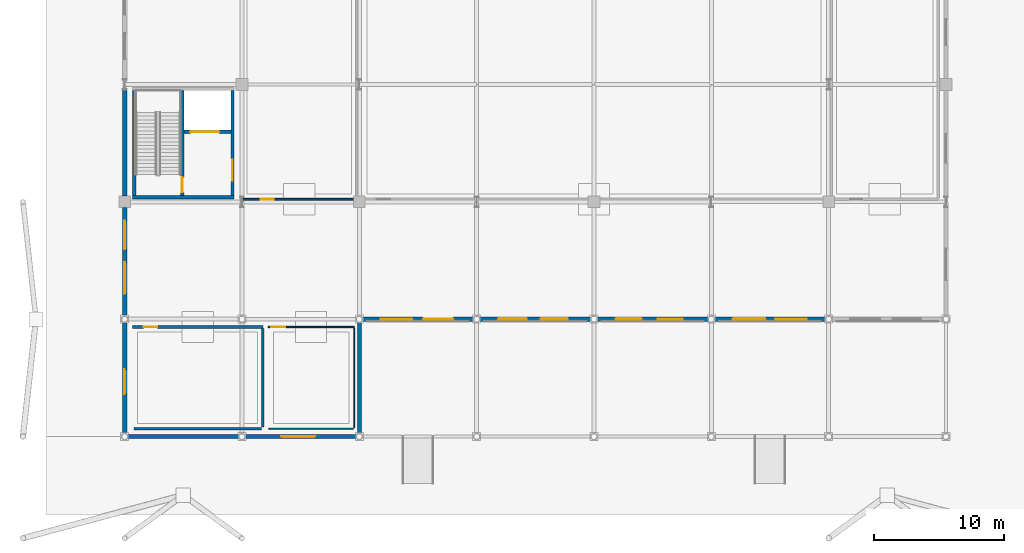
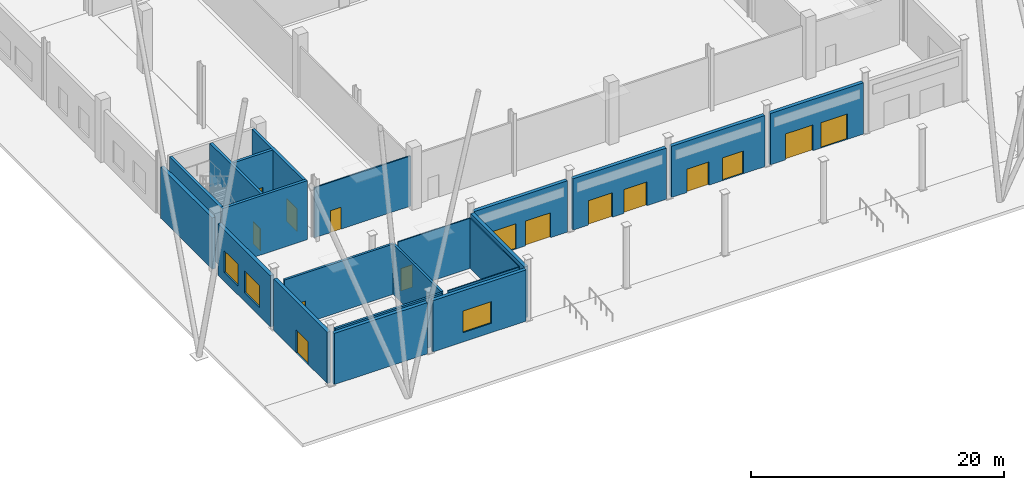
# One storey, part 29 of 58: 22 walls, 15 doors, 3 windows, 18 openings.
"""IFC4 building model written with IfcOpenShell, lengths in metres."""

from ifc_helpers import new_model, si_unit, direction, frame, frame_2d, origin, place, context, subcontext, project, spatial, rectangle, extrude, material, layer, layer_set, type_object, element, fill, save


model = new_model("IFC4")

# Units and contexts
model_context = context("Model", 3, precision=1e-05, world=origin(), true_north=direction((0.0, 1.0)))
body_context = subcontext(model_context, "Body", "Model", "MODEL_VIEW")
ifc_project = project(units=[si_unit("LENGTHUNIT", "METRE"), si_unit("AREAUNIT", "SQUARE_METRE"), si_unit("VOLUMEUNIT", "CUBIC_METRE"), si_unit("PLANEANGLEUNIT", "RADIAN"), si_unit("MASSUNIT", "GRAM", prefix="KILO")], contexts=[model_context])

# Site, building, storey
site_placement = place(None, origin())
site = spatial("IfcSite", under=ifc_project, at=site_placement, CompositionType="ELEMENT")
building_placement = place(site_placement, origin())
building = spatial("IfcBuilding", under=site, at=building_placement, Name="Barlavento Convention Centre", CompositionType="ELEMENT")
storey_placement = place(building_placement, origin())
storey = spatial("IfcBuildingStorey", under=building, at=storey_placement, Name="L00", CompositionType="ELEMENT", Elevation=0.0)

# Wall, openings, doors
ifc_material_1 = material(Name="Macau dark grey granite cladding on Concrete C40/50", Category="masonry")
ifc_layer_1 = layer(ifc_material_1, 0.320068359375)
ifc_layer_set_1 = layer_set([ifc_layer_1], Name="ARC-WL-EXT-320")
wall_type_1 = type_object("IfcWallType", Name="ARC-WL-EXT-320", PredefinedType="SOLIDWALL", material=ifc_layer_set_1)
wall_1_placement = place(storey_placement, frame((18.2490234375, 9.0, 0.0), z_axis=(0.0, 0.0, 1.0), x_axis=(1.0, 0.0, 0.0)))
wall_1 = element("IfcWall", 1, at=wall_1_placement, inside=storey, type_object=wall_type_1, Name="L00 exterior wall EW01", PredefinedType="SOLIDWALL", context=body_context, shape_type="SweptSolid", body=[
    extrude(rectangle(XDim=8.501953125, YDim=0.320068359375, at=frame_2d((4.2509765625, 0.0))), origin(), (0.0, 0.0, 1.0), 4.949951171875),
])
opening_1_placement = place(wall_1_placement, frame((1.40087890625, 0.0, 0.0)))
opening_1 = element("IfcOpeningElement", 2, at=opening_1_placement, cuts=wall_1, Name="Opening EX-01", PredefinedType="OPENING", context=body_context, shape_type="SweptSolid", body=[
    extrude(rectangle(XDim=2.39990234375, YDim=2.449951171875, at=frame_2d((1.199951171875, 1.22509765625))), frame((0.0, 0.169921875, 0.0), z_axis=(0.0, -1.0, 0.0), x_axis=(1.0, 0.0, 0.0)), (0.0, 0.0, 1.0), 0.340087890625),
])
opening_2_placement = place(wall_1_placement, frame((4.65087890625, 0.0, 0.0)))
opening_2 = element("IfcOpeningElement", 3, at=opening_2_placement, cuts=wall_1, Name="Opening EX-02", PredefinedType="OPENING", context=body_context, shape_type="SweptSolid", body=[
    extrude(rectangle(XDim=2.300048828125, YDim=2.39990234375, at=frame_2d((1.14990234375, 1.199951171875))), frame((0.0, 0.169921875, 0.0), z_axis=(0.0, -1.0, 0.0), x_axis=(1.0, 0.0, 0.0)), (0.0, 0.0, 1.0), 0.340087890625),
])
ifc_material_2 = material(Name="Anodized aluminium and tempered glass", Category="aluminium")
door_type_1 = type_object("IfcDoorType", Name="ARC-DR-EXIT-2300X2400", OperationType="DOUBLE_DOOR_SINGLE_SWING", PredefinedType="DOOR", material=ifc_material_2)
door_1_placement = place(opening_2_placement, origin())
door_1 = element("IfcDoor", 4, at=door_1_placement, inside=storey, type_object=door_type_1, Name="DR-EXT-L00-0002 Main entrance exit door EX-02", OperationType="DOUBLE_DOOR_SINGLE_SWING", OverallHeight=2.39990234375, OverallWidth=2.300048828125, PredefinedType="DOOR", context=body_context, shape_type="SweptSolid", body=[
    extrude(rectangle(XDim=2.300048828125, YDim=2.39990234375, at=frame_2d((1.14990234375, 1.199951171875))), frame((0.0, 0.02490234375, 0.0), z_axis=(0.0, -1.0, 0.0), x_axis=(1.0, 0.0, 0.0)), (0.0, 0.0, 1.0), 0.050048828125),
])
fill(opening_2, door_1)
door_type_2 = type_object("IfcDoorType", Name="ARC-DR-EXIT-2400X2450", OperationType="DOUBLE_DOOR_SINGLE_SWING", PredefinedType="DOOR", material=ifc_material_2)
door_2_placement = place(opening_1_placement, origin())
door_2 = element("IfcDoor", 5, at=door_2_placement, inside=storey, type_object=door_type_2, Name="DR-EXT-L00-0001 Main entrance exit door EX-01", OperationType="DOUBLE_DOOR_SINGLE_SWING", OverallHeight=2.449951171875, OverallWidth=2.39990234375, PredefinedType="DOOR", context=body_context, shape_type="SweptSolid", body=[
    extrude(rectangle(XDim=2.39990234375, YDim=2.449951171875, at=frame_2d((1.199951171875, 1.22509765625))), frame((0.0, 0.02490234375, 0.0), z_axis=(0.0, -1.0, 0.0), x_axis=(1.0, 0.0, 0.0)), (0.0, 0.0, 1.0), 0.050048828125),
])
fill(opening_1, door_2)

wall_2_placement = place(storey_placement, frame((27.2490234375, 9.0, 0.0), z_axis=(0.0, 0.0, 1.0), x_axis=(1.0, 0.0, 0.0)))
wall_2 = element("IfcWall", 6, at=wall_2_placement, inside=storey, type_object=wall_type_1, Name="L00 exterior wall EW01", PredefinedType="SOLIDWALL", context=body_context, shape_type="SweptSolid", body=[
    extrude(rectangle(XDim=8.501953125, YDim=0.320068359375, at=frame_2d((4.2509765625, 0.0))), origin(), (0.0, 0.0, 1.0), 4.949951171875),
])
opening_3_placement = place(wall_2_placement, frame((1.40087890625, 0.0, 0.0)))
opening_3 = element("IfcOpeningElement", 7, at=opening_3_placement, cuts=wall_2, Name="Opening EX-03", PredefinedType="OPENING", context=body_context, shape_type="SweptSolid", body=[
    extrude(rectangle(XDim=2.199951171875, YDim=2.35009765625, at=frame_2d((1.10009765625, 1.175048828125))), frame((0.0, 0.169921875, 0.0), z_axis=(0.0, -1.0, 0.0), x_axis=(1.0, 0.0, 0.0)), (0.0, 0.0, 1.0), 0.340087890625),
])
opening_4_placement = place(wall_2_placement, frame((4.65087890625, 0.0, 0.0)))
opening_4 = element("IfcOpeningElement", 8, at=opening_4_placement, cuts=wall_2, Name="Opening EX-04", PredefinedType="OPENING", context=body_context, shape_type="SweptSolid", body=[
    extrude(rectangle(XDim=2.10009765625, YDim=2.300048828125, at=frame_2d((1.050048828125, 1.14990234375))), frame((0.0, 0.169921875, 0.0), z_axis=(0.0, -1.0, 0.0), x_axis=(1.0, 0.0, 0.0)), (0.0, 0.0, 1.0), 0.340087890625),
])
ifc_material_3 = material(Name="Painted galvanized steel", Category="steel")
door_type_3 = type_object("IfcDoorType", Name="ARC-DR-EXIT-2100X2300", OperationType="DOUBLE_DOOR_SINGLE_SWING", PredefinedType="DOOR", material=ifc_material_3)
door_3_placement = place(opening_4_placement, origin())
door_3 = element("IfcDoor", 9, at=door_3_placement, inside=storey, type_object=door_type_3, Name="DR-EXT-L00-0004 Main entrance exit door EX-04", OperationType="DOUBLE_DOOR_SINGLE_SWING", OverallHeight=2.300048828125, OverallWidth=2.10009765625, PredefinedType="DOOR", context=body_context, shape_type="SweptSolid", body=[
    extrude(rectangle(XDim=2.10009765625, YDim=2.300048828125, at=frame_2d((1.050048828125, 1.14990234375))), frame((0.0, 0.02490234375, 0.0), z_axis=(0.0, -1.0, 0.0), x_axis=(1.0, 0.0, 0.0)), (0.0, 0.0, 1.0), 0.050048828125),
])
fill(opening_4, door_3)
door_type_4 = type_object("IfcDoorType", Name="ARC-DR-EXIT-2200X2350", OperationType="DOUBLE_DOOR_SINGLE_SWING", PredefinedType="DOOR", material=ifc_material_2)
door_4_placement = place(opening_3_placement, origin())
door_4 = element("IfcDoor", 10, at=door_4_placement, inside=storey, type_object=door_type_4, Name="DR-EXT-L00-0003 Main entrance exit door EX-03", OperationType="DOUBLE_DOOR_SINGLE_SWING", OverallHeight=2.35009765625, OverallWidth=2.199951171875, PredefinedType="DOOR", context=body_context, shape_type="SweptSolid", body=[
    extrude(rectangle(XDim=2.199951171875, YDim=2.35009765625, at=frame_2d((1.10009765625, 1.175048828125))), frame((0.0, 0.02490234375, 0.0), z_axis=(0.0, -1.0, 0.0), x_axis=(1.0, 0.0, 0.0)), (0.0, 0.0, 1.0), 0.050048828125),
])
fill(opening_3, door_4)

wall_3_placement = place(storey_placement, frame((36.2490234375, 9.0, 0.0), z_axis=(0.0, 0.0, 1.0), x_axis=(1.0, 0.0, 0.0)))
wall_3 = element("IfcWall", 11, at=wall_3_placement, inside=storey, type_object=wall_type_1, Name="L00 exterior wall EW01", PredefinedType="SOLIDWALL", context=body_context, shape_type="SweptSolid", body=[
    extrude(rectangle(XDim=8.501953125, YDim=0.320068359375, at=frame_2d((4.2509765625, 0.0))), origin(), (0.0, 0.0, 1.0), 4.949951171875),
])
opening_5_placement = place(wall_3_placement, frame((1.40087890625, 0.0, 0.0)))
opening_5 = element("IfcOpeningElement", 12, at=opening_5_placement, cuts=wall_3, Name="Opening EX-05", PredefinedType="OPENING", context=body_context, shape_type="SweptSolid", body=[
    extrude(rectangle(XDim=2.0, YDim=2.25, at=frame_2d((1.0, 1.125))), frame((0.0, 0.169921875, 0.0), z_axis=(0.0, -1.0, 0.0), x_axis=(1.0, 0.0, 0.0)), (0.0, 0.0, 1.0), 0.340087890625),
])
opening_6_placement = place(wall_3_placement, frame((4.65087890625, 0.0, 0.0)))
opening_6 = element("IfcOpeningElement", 13, at=opening_6_placement, cuts=wall_3, Name="Opening EX-06", PredefinedType="OPENING", context=body_context, shape_type="SweptSolid", body=[
    extrude(rectangle(XDim=1.89990234375, YDim=2.199951171875, at=frame_2d((0.949951171875, 1.10009765625))), frame((0.0, 0.169921875, 0.0), z_axis=(0.0, -1.0, 0.0), x_axis=(1.0, 0.0, 0.0)), (0.0, 0.0, 1.0), 0.340087890625),
])
door_type_5 = type_object("IfcDoorType", Name="ARC-DR-EXIT-1900X2200", OperationType="DOUBLE_DOOR_SINGLE_SWING", PredefinedType="DOOR", material=ifc_material_3)
door_5_placement = place(opening_6_placement, origin())
door_5 = element("IfcDoor", 14, at=door_5_placement, inside=storey, type_object=door_type_5, Name="DR-EXT-L00-0006 Main entrance exit door EX-06", OperationType="DOUBLE_DOOR_SINGLE_SWING", OverallHeight=2.199951171875, OverallWidth=1.89990234375, PredefinedType="DOOR", context=body_context, shape_type="SweptSolid", body=[
    extrude(rectangle(XDim=1.89990234375, YDim=2.199951171875, at=frame_2d((0.949951171875, 1.10009765625))), frame((0.0, 0.02490234375, 0.0), z_axis=(0.0, -1.0, 0.0), x_axis=(1.0, 0.0, 0.0)), (0.0, 0.0, 1.0), 0.050048828125),
])
fill(opening_6, door_5)
door_type_6 = type_object("IfcDoorType", Name="ARC-DR-EXIT-2000X2250", OperationType="DOUBLE_DOOR_SINGLE_SWING", PredefinedType="DOOR", material=ifc_material_3)
door_6_placement = place(opening_5_placement, origin())
door_6 = element("IfcDoor", 15, at=door_6_placement, inside=storey, type_object=door_type_6, Name="DR-EXT-L00-0005 Main entrance exit door EX-05", OperationType="DOUBLE_DOOR_SINGLE_SWING", OverallHeight=2.25, OverallWidth=2.0, PredefinedType="DOOR", context=body_context, shape_type="SweptSolid", body=[
    extrude(rectangle(XDim=2.0, YDim=2.25, at=frame_2d((1.0, 1.125))), frame((0.0, 0.02490234375, 0.0), z_axis=(0.0, -1.0, 0.0), x_axis=(1.0, 0.0, 0.0)), (0.0, 0.0, 1.0), 0.050048828125),
])
fill(opening_5, door_6)

wall_4_placement = place(storey_placement, frame((45.2490234375, 9.0, 0.0), z_axis=(0.0, 0.0, 1.0), x_axis=(1.0, 0.0, 0.0)))
wall_4 = element("IfcWall", 16, at=wall_4_placement, inside=storey, type_object=wall_type_1, Name="L00 exterior wall EW01", PredefinedType="SOLIDWALL", context=body_context, shape_type="SweptSolid", body=[
    extrude(rectangle(XDim=8.501953125, YDim=0.320068359375, at=frame_2d((4.2509765625, 0.0))), origin(), (0.0, 0.0, 1.0), 4.949951171875),
])
opening_7_placement = place(wall_4_placement, frame((1.40087890625, 0.0, 0.0)))
opening_7 = element("IfcOpeningElement", 17, at=opening_7_placement, cuts=wall_4, Name="Opening EX-07", PredefinedType="OPENING", context=body_context, shape_type="SweptSolid", body=[
    extrude(rectangle(XDim=2.5, YDim=2.5, at=frame_2d((1.25, 1.25))), frame((0.0, 0.169921875, 0.0), z_axis=(0.0, -1.0, 0.0), x_axis=(1.0, 0.0, 0.0)), (0.0, 0.0, 1.0), 0.340087890625),
])
opening_8_placement = place(wall_4_placement, frame((4.65087890625, 0.0, 0.0)))
opening_8 = element("IfcOpeningElement", 18, at=opening_8_placement, cuts=wall_4, Name="Opening EX-08", PredefinedType="OPENING", context=body_context, shape_type="SweptSolid", body=[
    extrude(rectangle(XDim=2.39990234375, YDim=2.449951171875, at=frame_2d((1.199951171875, 1.22509765625))), frame((0.0, 0.169921875, 0.0), z_axis=(0.0, -1.0, 0.0), x_axis=(1.0, 0.0, 0.0)), (0.0, 0.0, 1.0), 0.340087890625),
])
door_7_placement = place(opening_8_placement, origin())
door_7 = element("IfcDoor", 19, at=door_7_placement, inside=storey, type_object=door_type_2, Name="DR-EXT-L00-0008 Main entrance exit door EX-08", OperationType="DOUBLE_DOOR_SINGLE_SWING", OverallHeight=2.449951171875, OverallWidth=2.39990234375, PredefinedType="DOOR", context=body_context, shape_type="SweptSolid", body=[
    extrude(rectangle(XDim=2.39990234375, YDim=2.449951171875, at=frame_2d((1.199951171875, 1.22509765625))), frame((0.0, 0.02490234375, 0.0), z_axis=(0.0, -1.0, 0.0), x_axis=(1.0, 0.0, 0.0)), (0.0, 0.0, 1.0), 0.050048828125),
])
fill(opening_8, door_7)
door_type_7 = type_object("IfcDoorType", Name="ARC-DR-EXIT-2500X2500", OperationType="DOUBLE_DOOR_SINGLE_SWING", PredefinedType="DOOR", material=ifc_material_2)
door_8_placement = place(opening_7_placement, origin())
door_8 = element("IfcDoor", 20, at=door_8_placement, inside=storey, type_object=door_type_7, Name="DR-EXT-L00-0007 Main entrance exit door EX-07", OperationType="DOUBLE_DOOR_SINGLE_SWING", OverallHeight=2.5, OverallWidth=2.5, PredefinedType="DOOR", context=body_context, shape_type="SweptSolid", body=[
    extrude(rectangle(XDim=2.5, YDim=2.5, at=frame_2d((1.25, 1.25))), frame((0.0, 0.02490234375, 0.0), z_axis=(0.0, -1.0, 0.0), x_axis=(1.0, 0.0, 0.0)), (0.0, 0.0, 1.0), 0.050048828125),
])
fill(opening_7, door_8)

# Wall
wall_5_placement = place(storey_placement, frame((0.2490234375, 0.0, 0.0), z_axis=(0.0, 0.0, 1.0), x_axis=(1.0, 0.0, 0.0)))
element("IfcWall", 21, at=wall_5_placement, inside=storey, type_object=wall_type_1, Name="L00 exterior wall EW01", PredefinedType="SOLIDWALL", context=body_context, shape_type="SweptSolid", body=[
    extrude(rectangle(XDim=8.501953125, YDim=0.320068359375, at=frame_2d((4.2509765625, 0.0))), origin(), (0.0, 0.0, 1.0), 4.949951171875),
])

# Wall, opening, window
wall_6_placement = place(storey_placement, frame((9.2490234375, 0.0, 0.0), z_axis=(0.0, 0.0, 1.0), x_axis=(1.0, 0.0, 0.0)))
wall_6 = element("IfcWall", 22, at=wall_6_placement, inside=storey, type_object=wall_type_1, Name="L00 exterior wall EW01", PredefinedType="SOLIDWALL", context=body_context, shape_type="SweptSolid", body=[
    extrude(rectangle(XDim=8.501953125, YDim=0.320068359375, at=frame_2d((4.2509765625, 0.0))), origin(), (0.0, 0.0, 1.0), 4.949951171875),
])
opening_9_placement = place(wall_6_placement, frame((2.7509765625, 0.0, 0.89990234375)))
opening_9 = element("IfcOpeningElement", 23, at=opening_9_placement, cuts=wall_6, Name="Opening WN02", PredefinedType="OPENING", context=body_context, shape_type="SweptSolid", body=[
    extrude(rectangle(XDim=2.60009765625, YDim=2.10009765625, at=frame_2d((1.300048828125, 1.050048828125))), frame((0.0, 0.169921875, 0.0), z_axis=(0.0, -1.0, 0.0), x_axis=(1.0, 0.0, 0.0)), (0.0, 0.0, 1.0), 0.340087890625),
])
ifc_material_4 = material(Name="Double-silver Low-E insulated glass", Category="glass")
window_type_1 = type_object("IfcWindowType", Name="ARC-WN-VIS-2600X2100", PartitioningType="DOUBLE_PANEL_VERTICAL", PredefinedType="WINDOW", material=ifc_material_4)
window_1_placement = place(opening_9_placement, origin())
window_1 = element("IfcWindow", 24, at=window_1_placement, inside=storey, type_object=window_type_1, Name="L00 exterior Low-E window WN02", OverallHeight=2.10009765625, OverallWidth=2.60009765625, PartitioningType="SINGLE_PANEL", PredefinedType="WINDOW", context=body_context, shape_type="SweptSolid", body=[
    extrude(rectangle(XDim=2.60009765625, YDim=2.10009765625, at=frame_2d((1.300048828125, 1.050048828125))), frame((0.0, 0.030029296875, 0.0), z_axis=(0.0, -1.0, 0.0), x_axis=(1.0, 0.0, 0.0)), (0.0, 0.0, 1.0), 0.06005859375),
])
fill(opening_9, window_1)

# Wall
wall_7_placement = place(storey_placement, frame((18.0, 0.2490234375, 0.0), z_axis=(0.0, 0.0, 1.0), x_axis=(0.0, 1.0, 0.0)))
element("IfcWall", 25, at=wall_7_placement, inside=storey, type_object=wall_type_1, Name="L00 exterior wall EW01", PredefinedType="SOLIDWALL", context=body_context, shape_type="SweptSolid", body=[
    extrude(rectangle(XDim=8.501953125, YDim=0.320068359375, at=frame_2d((4.2509765625, 0.0))), origin(), (0.0, 0.0, 1.0), 4.949951171875),
])

# Wall, opening, door
wall_8_placement = place(storey_placement, frame((0.0, 0.2490234375, 0.0), z_axis=(0.0, 0.0, 1.0), x_axis=(0.0, 1.0, 0.0)))
wall_8 = element("IfcWall", 26, at=wall_8_placement, inside=storey, type_object=wall_type_1, Name="L00 exterior wall EW01", PredefinedType="SOLIDWALL", context=body_context, shape_type="SweptSolid", body=[
    extrude(rectangle(XDim=8.501953125, YDim=0.320068359375, at=frame_2d((4.2509765625, 0.0))), origin(), (0.0, 0.0, 1.0), 4.949951171875),
])
opening_10_placement = place(wall_8_placement, frame((3.0009765625, 0.0, 0.0)))
opening_10 = element("IfcOpeningElement", 27, at=opening_10_placement, cuts=wall_8, Name="Opening EX-51", PredefinedType="OPENING", context=body_context, shape_type="SweptSolid", body=[
    extrude(rectangle(XDim=1.89990234375, YDim=2.199951171875, at=frame_2d((0.949951171875, 1.10009765625))), frame((0.0, 0.169921875, 0.0), z_axis=(0.0, -1.0, 0.0), x_axis=(1.0, 0.0, 0.0)), (0.0, 0.0, 1.0), 0.340087890625),
])
door_9_placement = place(opening_10_placement, origin())
door_9 = element("IfcDoor", 28, at=door_9_placement, inside=storey, type_object=door_type_5, Name="DR-EXT-L00-0058 Fire Command Room exterior pedestrian exit door EX-51", OperationType="DOUBLE_DOOR_SINGLE_SWING", OverallHeight=2.199951171875, OverallWidth=1.89990234375, PredefinedType="DOOR", context=body_context, shape_type="SweptSolid", body=[
    extrude(rectangle(XDim=1.89990234375, YDim=2.199951171875, at=frame_2d((0.949951171875, 1.10009765625))), frame((0.0, 0.02490234375, 0.0), z_axis=(0.0, -1.0, 0.0), x_axis=(1.0, 0.0, 0.0)), (0.0, 0.0, 1.0), 0.050048828125),
])
fill(opening_10, door_9)

# Wall, openings, windows
wall_9_placement = place(storey_placement, frame((0.0, 9.2490234375, 0.0), z_axis=(0.0, 0.0, 1.0), x_axis=(0.0, 1.0, 0.0)))
wall_9 = element("IfcWall", 29, at=wall_9_placement, inside=storey, type_object=wall_type_1, Name="L00 exterior wall EW01", PredefinedType="SOLIDWALL", context=body_context, shape_type="SweptSolid", body=[
    extrude(rectangle(XDim=8.305908203125, YDim=0.320068359375, at=frame_2d((4.15283203125, 0.0))), origin(), (0.0, 0.0, 1.0), 4.949951171875),
])
opening_11_placement = place(wall_9_placement, frame((1.700927734375, 0.0, 0.85009765625)))
opening_11 = element("IfcOpeningElement", 30, at=opening_11_placement, cuts=wall_9, Name="Opening WN03", PredefinedType="OPENING", context=body_context, shape_type="SweptSolid", body=[
    extrude(rectangle(XDim=2.39990234375, YDim=2.10009765625, at=frame_2d((1.199951171875, 1.050048828125))), frame((0.0, 0.169921875, 0.0), z_axis=(0.0, -1.0, 0.0), x_axis=(1.0, 0.0, 0.0)), (0.0, 0.0, 1.0), 0.340087890625),
])
opening_12_placement = place(wall_9_placement, frame((5.10107421875, 0.0, 0.85009765625)))
opening_12 = element("IfcOpeningElement", 31, at=opening_12_placement, cuts=wall_9, Name="Opening WN04", PredefinedType="OPENING", context=body_context, shape_type="SweptSolid", body=[
    extrude(rectangle(XDim=2.199951171875, YDim=2.10009765625, at=frame_2d((1.10009765625, 1.050048828125))), frame((0.0, 0.169921875, 0.0), z_axis=(0.0, -1.0, 0.0), x_axis=(1.0, 0.0, 0.0)), (0.0, 0.0, 1.0), 0.340087890625),
])
window_type_2 = type_object("IfcWindowType", Name="ARC-WN-VIS-2200X2100", PartitioningType="DOUBLE_PANEL_VERTICAL", PredefinedType="WINDOW", material=ifc_material_4)
window_2_placement = place(opening_12_placement, origin())
window_2 = element("IfcWindow", 32, at=window_2_placement, inside=storey, type_object=window_type_2, Name="L00 exterior Low-E window WN04", OverallHeight=2.10009765625, OverallWidth=2.199951171875, PartitioningType="SINGLE_PANEL", PredefinedType="WINDOW", context=body_context, shape_type="SweptSolid", body=[
    extrude(rectangle(XDim=2.199951171875, YDim=2.10009765625, at=frame_2d((1.10009765625, 1.050048828125))), frame((0.0, 0.030029296875, 0.0), z_axis=(0.0, -1.0, 0.0), x_axis=(1.0, 0.0, 0.0)), (0.0, 0.0, 1.0), 0.06005859375),
])
fill(opening_12, window_2)
window_type_3 = type_object("IfcWindowType", Name="ARC-WN-VIS-2400X2100", PartitioningType="DOUBLE_PANEL_VERTICAL", PredefinedType="WINDOW", material=ifc_material_4)
window_3_placement = place(opening_11_placement, origin())
window_3 = element("IfcWindow", 33, at=window_3_placement, inside=storey, type_object=window_type_3, Name="L00 exterior Low-E window WN03", OverallHeight=2.10009765625, OverallWidth=2.39990234375, PartitioningType="SINGLE_PANEL", PredefinedType="WINDOW", context=body_context, shape_type="SweptSolid", body=[
    extrude(rectangle(XDim=2.39990234375, YDim=2.10009765625, at=frame_2d((1.199951171875, 1.050048828125))), frame((0.0, 0.030029296875, 0.0), z_axis=(0.0, -1.0, 0.0), x_axis=(1.0, 0.0, 0.0)), (0.0, 0.0, 1.0), 0.06005859375),
])
fill(opening_11, window_3)

# Wall
wall_10_placement = place(storey_placement, frame((0.0, 18.445068359375, 0.0), z_axis=(0.0, 0.0, 1.0), x_axis=(0.0, 1.0, 0.0)))
element("IfcWall", 34, at=wall_10_placement, inside=storey, type_object=wall_type_1, Name="L00 exterior wall EW01", PredefinedType="SOLIDWALL", context=body_context, shape_type="SweptSolid", body=[
    extrude(rectangle(XDim=8.15283203125, YDim=0.320068359375, at=frame_2d((4.076416015625, 0.0))), origin(), (0.0, 0.0, 1.0), 4.949951171875),
])

# Wall, opening, door
ifc_material_5 = material(Name="Concrete C40/50", Category="concrete")
ifc_layer_2 = layer(ifc_material_5, 0.199951171875)
ifc_layer_set_2 = layer_set([ifc_layer_2], Name="ARC-WL-FIRE-200")
wall_type_2 = type_object("IfcWallType", Name="ARC-WL-FIRE-200", PredefinedType="SOLIDWALL", material=ifc_layer_set_2)
wall_11_placement = place(storey_placement, frame((0.60009765625, 8.39990234375, 0.0), z_axis=(0.0, 0.0, 1.0), x_axis=(1.0, 0.0, 0.0)))
wall_11 = element("IfcWall", 35, at=wall_11_placement, inside=storey, type_object=wall_type_2, Name="L00 interior wall FW-01", PredefinedType="SOLIDWALL", context=body_context, shape_type="SweptSolid", body=[
    extrude(rectangle(XDim=10.0, YDim=0.199951171875, at=frame_2d((5.0, 0.0))), origin(), (0.0, 0.0, 1.0), 4.85009765625),
])
opening_13_placement = place(wall_11_placement, frame((0.85009765625, 0.0, 0.0)))
opening_13 = element("IfcOpeningElement", 36, at=opening_13_placement, cuts=wall_11, Name="Opening FD-04", PredefinedType="OPENING", context=body_context, shape_type="SweptSolid", body=[
    extrude(rectangle(XDim=1.050048828125, YDim=2.14990234375, at=frame_2d((0.52490234375, 1.074951171875))), frame((0.0, 0.10986328125, 0.0), z_axis=(0.0, -1.0, 0.0), x_axis=(1.0, 0.0, 0.0)), (0.0, 0.0, 1.0), 0.219970703125),
])
door_type_8 = type_object("IfcDoorType", Name="ARC-DR-FIRE-1050X2150", OperationType="NOTDEFINED", PredefinedType="DOOR", material=ifc_material_3)
door_10_placement = place(opening_13_placement, origin())
door_10 = element("IfcDoor", 37, at=door_10_placement, inside=storey, type_object=door_type_8, Name="DR-INT-L00-0211 L00 interior door FD-04", OperationType="SINGLE_SWING_RIGHT", OverallHeight=2.14990234375, OverallWidth=1.050048828125, PredefinedType="DOOR", context=body_context, shape_type="SweptSolid", body=[
    extrude(rectangle(XDim=1.050048828125, YDim=2.14990234375, at=frame_2d((0.52490234375, 1.074951171875))), frame((0.0, 0.02490234375, 0.0), z_axis=(0.0, -1.0, 0.0), x_axis=(1.0, 0.0, 0.0)), (0.0, 0.0, 1.0), 0.050048828125),
])
fill(opening_13, door_10)

# Walls
wall_12_placement = place(storey_placement, frame((0.719970703125, 0.60009765625, 0.0), z_axis=(0.0, 0.0, 1.0), x_axis=(1.0, 0.0, 0.0)))
element("IfcWall", 38, at=wall_12_placement, inside=storey, type_object=wall_type_2, Name="L00 interior wall FW-01", PredefinedType="SOLIDWALL", context=body_context, shape_type="SweptSolid", body=[
    extrude(rectangle(XDim=9.760009765625, YDim=0.199951171875, at=frame_2d((4.8798828125, 0.0))), origin(), (0.0, 0.0, 1.0), 4.85009765625),
])
wall_13_placement = place(storey_placement, frame((10.60009765625, 0.719970703125, 0.0), z_axis=(0.0, 0.0, 1.0), x_axis=(0.0, 1.0, 0.0)))
element("IfcWall", 39, at=wall_13_placement, inside=storey, type_object=wall_type_2, Name="L00 interior wall FW-01", PredefinedType="SOLIDWALL", context=body_context, shape_type="SweptSolid", body=[
    extrude(rectangle(XDim=7.56005859375, YDim=0.199951171875, at=frame_2d((3.780029296875, 0.0))), origin(), (0.0, 0.0, 1.0), 4.85009765625),
])

# Wall, opening, door
ifc_material_6 = material(Name="Glazed office partition", Category="glass")
ifc_layer_3 = layer(ifc_material_6, 0.094970703125)
ifc_layer_set_3 = layer_set([ifc_layer_3], Name="ARC-WL-PART-095")
wall_type_3 = type_object("IfcWallType", Name="ARC-WL-PART-095", PredefinedType="PARTITIONING", material=ifc_layer_set_3)
wall_14_placement = place(storey_placement, frame((11.0, 8.39990234375, 0.0), z_axis=(0.0, 0.0, 1.0), x_axis=(1.0, 0.0, 0.0)))
wall_14 = element("IfcWall", 40, at=wall_14_placement, inside=storey, type_object=wall_type_3, Name="L00 interior wall PT-07", PredefinedType="PARTITIONING", context=body_context, shape_type="SweptSolid", body=[
    extrude(rectangle(XDim=6.60009765625, YDim=0.094970703125, at=frame_2d((3.300048828125, 0.0))), origin(), (0.0, 0.0, 1.0), 4.85009765625),
])
opening_14_placement = place(wall_14_placement, frame((0.25, 0.0, 0.0)))
opening_14 = element("IfcOpeningElement", 41, at=opening_14_placement, cuts=wall_14, Name="Opening ID-06", PredefinedType="OPENING", context=body_context, shape_type="SweptSolid", body=[
    extrude(rectangle(XDim=1.080078125, YDim=2.179931640625, at=frame_2d((0.5400390625, 1.08984375))), frame((0.0, 0.057373046875, 0.0), z_axis=(0.0, -1.0, 0.0), x_axis=(1.0, 0.0, 0.0)), (0.0, 0.0, 1.0), 0.114990234375),
])
ifc_material_7 = material(Name="Timber veneer acoustic core", Category="wood")
door_type_9 = type_object("IfcDoorType", Name="ARC-DR-ROOM-1080X2180", OperationType="NOTDEFINED", PredefinedType="DOOR", material=ifc_material_7)
door_11_placement = place(opening_14_placement, origin())
door_11 = element("IfcDoor", 42, at=door_11_placement, inside=storey, type_object=door_type_9, Name="DR-INT-L00-0212 L00 interior door ID-06", OperationType="SINGLE_SWING_LEFT", OverallHeight=2.179931640625, OverallWidth=1.080078125, PredefinedType="DOOR", context=body_context, shape_type="SweptSolid", body=[
    extrude(rectangle(XDim=1.080078125, YDim=2.179931640625, at=frame_2d((0.5400390625, 1.08984375))), frame((0.0, 0.02490234375, 0.0), z_axis=(0.0, -1.0, 0.0), x_axis=(1.0, 0.0, 0.0)), (0.0, 0.0, 1.0), 0.050048828125),
])
fill(opening_14, door_11)

# Walls
wall_15_placement = place(storey_placement, frame((11.056884765625, 0.60009765625, 0.0), z_axis=(0.0, 0.0, 1.0), x_axis=(1.0, 0.0, 0.0)))
element("IfcWall", 43, at=wall_15_placement, inside=storey, type_object=wall_type_3, Name="L00 interior wall PT-07", PredefinedType="PARTITIONING", context=body_context, shape_type="SweptSolid", body=[
    extrude(rectangle(XDim=6.486083984375, YDim=0.094970703125, at=frame_2d((3.2431640625, 0.0))), origin(), (0.0, 0.0, 1.0), 4.85009765625),
])
wall_16_placement = place(storey_placement, frame((17.60009765625, 0.656982421875, 0.0), z_axis=(0.0, 0.0, 1.0), x_axis=(0.0, 1.0, 0.0)))
element("IfcWall", 44, at=wall_16_placement, inside=storey, type_object=wall_type_3, Name="L00 interior wall PT-07", PredefinedType="PARTITIONING", context=body_context, shape_type="SweptSolid", body=[
    extrude(rectangle(XDim=7.68603515625, YDim=0.094970703125, at=frame_2d((3.843017578125, 0.0))), origin(), (0.0, 0.0, 1.0), 4.85009765625),
])

# Wall, opening, door
ifc_material_8 = material(Name="Lightweight gypsum partition")
ifc_layer_4 = layer(ifc_material_8, 0.125)
ifc_layer_set_4 = layer_set([ifc_layer_4], Name="ARC-WL-PART-125")
wall_type_4 = type_object("IfcWallType", Name="ARC-WL-PART-125", PredefinedType="PARTITIONING", material=ifc_layer_set_4)
wall_17_placement = place(storey_placement, frame((9.0, 18.199951171875, 0.0), z_axis=(0.0, 0.0, 1.0), x_axis=(1.0, 0.0, 0.0)))
wall_17 = element("IfcWall", 45, at=wall_17_placement, inside=storey, type_object=wall_type_4, Name="L00 interior wall PT-05", PredefinedType="PARTITIONING", context=body_context, shape_type="SweptSolid", body=[
    extrude(rectangle(XDim=8.800048828125, YDim=0.125, at=frame_2d((4.39990234375, 0.0))), origin(), (0.0, 0.0, 1.0), 4.85009765625),
])
opening_15_placement = place(wall_17_placement, frame((1.449951171875, 0.0, 0.0)))
opening_15 = element("IfcOpeningElement", 46, at=opening_15_placement, cuts=wall_17, Name="Opening ID-08", PredefinedType="OPENING", context=body_context, shape_type="SweptSolid", body=[
    extrude(rectangle(XDim=0.97998046875, YDim=2.1201171875, at=frame_2d((0.489990234375, 1.06005859375))), frame((0.0, 0.072509765625, 0.0), z_axis=(0.0, -1.0, 0.0), x_axis=(1.0, 0.0, 0.0)), (0.0, 0.0, 1.0), 0.14501953125),
])
door_type_10 = type_object("IfcDoorType", Name="ARC-DR-ROOM-980X2120", OperationType="NOTDEFINED", PredefinedType="DOOR", material=ifc_material_7)
door_12_placement = place(opening_15_placement, origin())
door_12 = element("IfcDoor", 47, at=door_12_placement, inside=storey, type_object=door_type_10, Name="DR-INT-L00-0214 L00 interior door ID-08", OperationType="SINGLE_SWING_LEFT", OverallHeight=2.1201171875, OverallWidth=0.97998046875, PredefinedType="DOOR", context=body_context, shape_type="SweptSolid", body=[
    extrude(rectangle(XDim=0.97998046875, YDim=2.1201171875, at=frame_2d((0.489990234375, 1.06005859375))), frame((0.0, 0.02490234375, 0.0), z_axis=(0.0, -1.0, 0.0), x_axis=(1.0, 0.0, 0.0)), (0.0, 0.0, 1.0), 0.050048828125),
])
fill(opening_15, door_12)

# Wall
ifc_material_9 = material(Name="Concrete C50/60", Category="concrete")
ifc_layer_5 = layer(ifc_material_9, 0.25)
ifc_layer_set_5 = layer_set([ifc_layer_5], Name="STR-WL-CORE-250")
wall_type_5 = type_object("IfcWallType", Name="STR-WL-CORE-250", PredefinedType="SHEAR", material=ifc_layer_set_5)
wall_18_placement = place(storey_placement, frame((0.72509765625, 18.469970703125, 0.0), z_axis=(0.0, 0.0, 1.0), x_axis=(0.0, 1.0, 0.0)))
element("IfcWall", 48, at=wall_18_placement, inside=storey, type_object=wall_type_5, Name="L00 interior wall CW-02", PredefinedType="SHEAR", context=body_context, shape_type="SweptSolid", body=[
    extrude(rectangle(XDim=8.06005859375, YDim=0.25, at=frame_2d((4.030029296875, 0.0))), origin(), (0.0, 0.0, 1.0), 5.699951171875),
])

# Wall, opening, door
wall_19_placement = place(storey_placement, frame((8.27490234375, 18.469970703125, 0.0), z_axis=(0.0, 0.0, 1.0), x_axis=(0.0, 1.0, 0.0)))
wall_19 = element("IfcWall", 49, at=wall_19_placement, inside=storey, type_object=wall_type_5, Name="L00 interior wall CW-02", PredefinedType="SHEAR", context=body_context, shape_type="SweptSolid", body=[
    extrude(rectangle(XDim=8.06005859375, YDim=0.25, at=frame_2d((4.030029296875, 0.0))), origin(), (0.0, 0.0, 1.0), 5.699951171875),
])
opening_16_placement = place(wall_19_placement, frame((1.14990234375, 0.0, 0.0)))
opening_16 = element("IfcOpeningElement", 50, at=opening_16_placement, cuts=wall_19, Name="Opening FD-02", PredefinedType="OPENING", context=body_context, shape_type="SweptSolid", body=[
    extrude(rectangle(XDim=1.60009765625, YDim=2.199951171875, at=frame_2d((0.800048828125, 1.10009765625))), frame((0.0, 0.135009765625, 0.0), z_axis=(0.0, -1.0, 0.0), x_axis=(1.0, 0.0, 0.0)), (0.0, 0.0, 1.0), 0.27001953125),
])
door_type_11 = type_object("IfcDoorType", Name="ARC-DR-FIRE-1600X2200", OperationType="DOUBLE_DOOR_SINGLE_SWING", PredefinedType="DOOR", material=ifc_material_3)
door_13_placement = place(opening_16_placement, origin())
door_13 = element("IfcDoor", 51, at=door_13_placement, inside=storey, type_object=door_type_11, Name="DR-INT-L00-0006 L00 LF1 lobby fire door", OperationType="DOUBLE_DOOR_SINGLE_SWING", OverallHeight=2.199951171875, OverallWidth=1.60009765625, PredefinedType="DOOR", context=body_context, shape_type="SweptSolid", body=[
    extrude(rectangle(XDim=1.60009765625, YDim=2.199951171875, at=frame_2d((0.800048828125, 1.10009765625))), frame((0.0, 0.02490234375, 0.0), z_axis=(0.0, -1.0, 0.0), x_axis=(1.0, 0.0, 0.0)), (0.0, 0.0, 1.0), 0.050048828125),
])
fill(opening_16, door_13)

# Wall
wall_20_placement = place(storey_placement, frame((0.60009765625, 18.344970703125, 0.0), z_axis=(0.0, 0.0, 1.0), x_axis=(1.0, 0.0, 0.0)))
element("IfcWall", 52, at=wall_20_placement, inside=storey, type_object=wall_type_5, Name="L00 interior wall CW-02", PredefinedType="SHEAR", context=body_context, shape_type="SweptSolid", body=[
    extrude(rectangle(XDim=7.7998046875, YDim=0.25, at=frame_2d((3.89990234375, 0.0))), origin(), (0.0, 0.0, 1.0), 5.699951171875),
])

# Wall, opening, door
wall_21_placement = place(storey_placement, frame((4.4150390625, 18.469970703125, 0.0), z_axis=(0.0, 0.0, 1.0), x_axis=(0.0, 1.0, 0.0)))
wall_21 = element("IfcWall", 53, at=wall_21_placement, inside=storey, type_object=wall_type_5, Name="L00 interior wall CW-02", PredefinedType="SHEAR", context=body_context, shape_type="SweptSolid", body=[
    extrude(rectangle(XDim=8.06005859375, YDim=0.25, at=frame_2d((4.030029296875, 0.0))), origin(), (0.0, 0.0, 1.0), 5.699951171875),
])
opening_17_placement = place(wall_21_placement, frame((0.25, 0.0, 0.0)))
opening_17 = element("IfcOpeningElement", 54, at=opening_17_placement, cuts=wall_21, Name="Opening FD-03", PredefinedType="OPENING", context=body_context, shape_type="SweptSolid", body=[
    extrude(rectangle(XDim=1.14990234375, YDim=2.14990234375, at=frame_2d((0.574951171875, 1.074951171875))), frame((0.0, 0.135009765625, 0.0), z_axis=(0.0, -1.0, 0.0), x_axis=(1.0, 0.0, 0.0)), (0.0, 0.0, 1.0), 0.27001953125),
])
door_type_12 = type_object("IfcDoorType", Name="ARC-DR-FIRE-1150X2150", OperationType="NOTDEFINED", PredefinedType="DOOR", material=ifc_material_3)
door_14_placement = place(opening_17_placement, origin())
door_14 = element("IfcDoor", 55, at=door_14_placement, inside=storey, type_object=door_type_12, Name="DR-INT-L00-0004 L00 ST01 stair fire door FD-03", OperationType="SINGLE_SWING_RIGHT", OverallHeight=2.14990234375, OverallWidth=1.14990234375, PredefinedType="DOOR", context=body_context, shape_type="SweptSolid", body=[
    extrude(rectangle(XDim=1.14990234375, YDim=2.14990234375, at=frame_2d((0.574951171875, 1.074951171875))), frame((0.0, 0.02490234375, 0.0), z_axis=(0.0, -1.0, 0.0), x_axis=(1.0, 0.0, 0.0)), (0.0, 0.0, 1.0), 0.050048828125),
])
fill(opening_17, door_14)

wall_22_placement = place(storey_placement, frame((4.5400390625, 23.3701171875, 0.0), z_axis=(0.0, 0.0, 1.0), x_axis=(1.0, 0.0, 0.0)))
wall_22 = element("IfcWall", 56, at=wall_22_placement, inside=storey, type_object=wall_type_5, Name="L00 interior wall CW-02", PredefinedType="SHEAR", context=body_context, shape_type="SweptSolid", body=[
    extrude(rectangle(XDim=3.60986328125, YDim=0.25, at=frame_2d((1.804931640625, 0.0))), origin(), (0.0, 0.0, 1.0), 5.699951171875),
])
opening_18_placement = place(wall_22_placement, frame((0.5, 0.0, 0.0)))
opening_18 = element("IfcOpeningElement", 57, at=opening_18_placement, cuts=wall_22, Name="Opening LD-03", PredefinedType="OPENING", context=body_context, shape_type="SweptSolid", body=[
    extrude(rectangle(XDim=2.199951171875, YDim=2.39990234375, at=frame_2d((1.10009765625, 1.199951171875))), frame((0.0, 0.135009765625, 0.0), z_axis=(0.0, -1.0, 0.0), x_axis=(1.0, 0.0, 0.0)), (0.0, 0.0, 1.0), 0.27001953125),
])
ifc_material_10 = material(Name="Brushed stainless steel", Category="steel")
door_type_13 = type_object("IfcDoorType", Name="ARC-DR-LIFT-2200X2400", OperationType="DOUBLE_DOOR_SLIDING", PredefinedType="DOOR", material=ifc_material_10)
door_15_placement = place(opening_18_placement, origin())
door_15 = element("IfcDoor", 58, at=door_15_placement, inside=storey, type_object=door_type_13, Name="DR-INT-L00-0005 LF1 lift sliding landing door", OperationType="DOUBLE_DOOR_SLIDING", OverallHeight=2.39990234375, OverallWidth=2.199951171875, PredefinedType="DOOR", context=body_context, shape_type="SweptSolid", body=[
    extrude(rectangle(XDim=2.199951171875, YDim=2.39990234375, at=frame_2d((1.10009765625, 1.199951171875))), frame((0.0, 0.02490234375, 0.0), z_axis=(0.0, -1.0, 0.0), x_axis=(1.0, 0.0, 0.0)), (0.0, 0.0, 1.0), 0.050048828125),
])
fill(opening_18, door_15)

save(model, "model.ifc")
